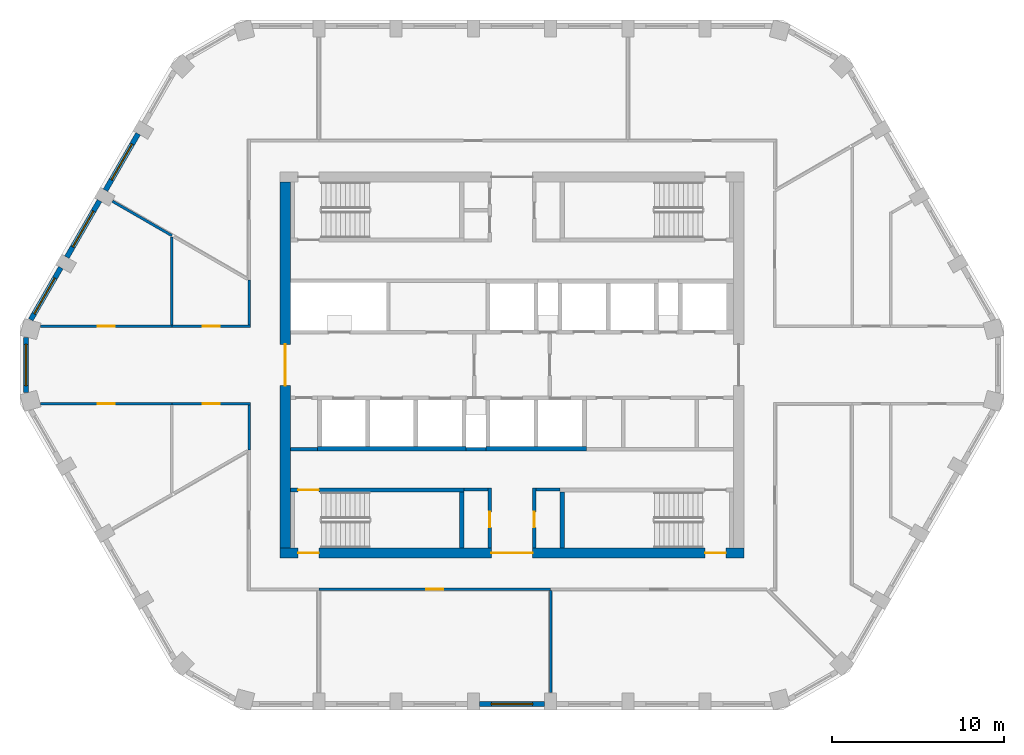
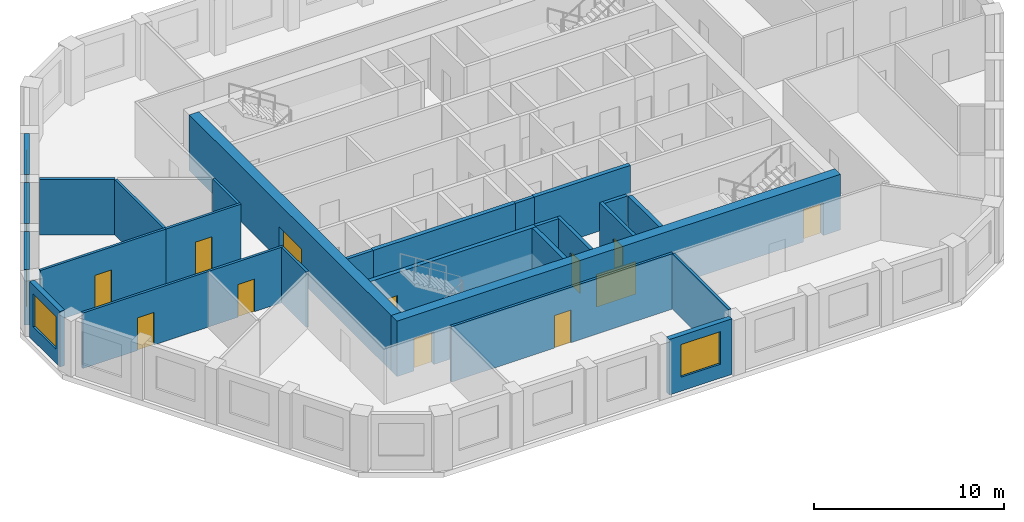
# One storey, part 2 of 11: 28 walls, 12 doors, 5 windows, 17 openings.
"""IFC4 building model written with IfcOpenShell, lengths in metres."""

from ifc_helpers import new_model, si_unit, direction, frame, frame_2d, origin, place, context, subcontext, project, spatial, polyline, rectangle, outline, extrude, material, layer, layer_set, type_object, element, fill, save


model = new_model("IFC4")

# Units and contexts
model_context = context("Model", 3, precision=1e-05, world=origin(), true_north=direction((0.0, 1.0)))
body_context = subcontext(model_context, "Body", "Model", "MODEL_VIEW")
ifc_project = project(units=[si_unit("LENGTHUNIT", "METRE"), si_unit("AREAUNIT", "SQUARE_METRE"), si_unit("VOLUMEUNIT", "CUBIC_METRE"), si_unit("PLANEANGLEUNIT", "RADIAN"), si_unit("MASSUNIT", "GRAM", prefix="KILO")], contexts=[model_context])

# Site, building, storey
site_placement = place(None, origin())
site = spatial("IfcSite", under=ifc_project, at=site_placement, CompositionType="ELEMENT")
building_placement = place(site_placement, origin())
building = spatial("IfcBuilding", under=site, at=building_placement, Name="Dhurran Vertical Campus", CompositionType="ELEMENT")
storey_placement = place(building_placement, frame((0.0, 0.0, 274.199951171875)))
storey = spatial("IfcBuildingStorey", under=building, at=storey_placement, Name="L68", CompositionType="ELEMENT", Elevation=274.199951171875)

# Wall, opening, window
ifc_material_1 = material(Name="Precast concrete C50/60", Category="concrete")
ifc_layer_1 = layer(ifc_material_1, 0.300048828125)
ifc_layer_set_1 = layer_set([ifc_layer_1], Name="Precast concrete C50/60")
wall_type_1 = type_object("IfcWallType", Name="Precast spandrel wall 300", PredefinedType="SOLIDWALL", material=ifc_layer_set_1)
wall_1_placement = place(storey_placement, frame((-1.8994140625, -19.738525390625, 0.0), z_axis=(0.0, 0.0, 1.0), x_axis=(1.0, 0.0, 0.0)))
wall_1 = element("IfcWall", 1, at=wall_1_placement, inside=storey, type_object=wall_type_1, Name="EW1 L68.03", PredefinedType="SOLIDWALL", context=body_context, shape_type="SweptSolid", body=[
    extrude(rectangle(XDim=3.798828125, YDim=0.300048828125, at=frame_2d((1.8994140625, 0.0))), origin(), (0.0, 0.0, 1.0), 3.574951171875),
])
opening_1_placement = place(wall_1_placement, frame((0.699462890625, 0.0, 0.89990234375)))
opening_1 = element("IfcOpeningElement", 2, at=opening_1_placement, cuts=wall_1, Name="Opening WT1", PredefinedType="OPENING", context=body_context, shape_type="SweptSolid", body=[
    extrude(rectangle(XDim=2.39990234375, YDim=2.10009765625, at=frame_2d((1.199951171875, 1.050048828125))), frame((0.0, 0.159912109375, 0.0), z_axis=(0.0, -1.0, 0.0), x_axis=(1.0, 0.0, 0.0)), (0.0, 0.0, 1.0), 0.320068359375),
])
ifc_material_2 = material(Name="Aluminium frame with solar-control glass", Category="aluminium")
window_type = type_object("IfcWindowType", Name="Punched window 2400 x 2100", PartitioningType="SINGLE_PANEL", PredefinedType="WINDOW", material=ifc_material_2)
window_1_placement = place(opening_1_placement, origin())
window_1 = element("IfcWindow", 3, at=window_1_placement, inside=storey, type_object=window_type, Name="WT1 L68.03", OverallHeight=2.10009765625, OverallWidth=2.39990234375, PartitioningType="SINGLE_PANEL", PredefinedType="WINDOW", context=body_context, shape_type="SweptSolid", body=[
    extrude(rectangle(XDim=2.39990234375, YDim=2.10009765625, at=frame_2d((1.199951171875, 1.050048828125))), frame((0.0, 0.030029296875, 0.0), z_axis=(0.0, -1.0, 0.0), x_axis=(1.0, 0.0, 0.0)), (0.0, 0.0, 1.0), 0.06005859375),
])
fill(opening_1, window_1)

wall_2_placement = place(storey_placement, frame((-21.769287109375, 13.462890625, 0.0), z_axis=(0.0, 0.0, 1.0), x_axis=(-0.499982058975, -0.866035761792, 0.0)))
wall_2 = element("IfcWall", 4, at=wall_2_placement, inside=storey, type_object=wall_type_1, Name="EW1 L68.27", PredefinedType="SOLIDWALL", context=body_context, shape_type="SweptSolid", body=[
    extrude(rectangle(XDim=3.799072265625, YDim=0.300048828125, at=frame_2d((1.8994140625, 0.0))), origin(), (0.0, 0.0, 1.0), 3.574951171875),
])
opening_2_placement = place(wall_2_placement, frame((0.699462890625, 0.0, 0.89990234375)))
opening_2 = element("IfcOpeningElement", 5, at=opening_2_placement, cuts=wall_2, Name="Opening WT1", PredefinedType="OPENING", context=body_context, shape_type="SweptSolid", body=[
    extrude(rectangle(XDim=2.39990234375, YDim=2.10009765625, at=frame_2d((1.199951171875, 1.050048828125))), frame((0.0, 0.159912109375, 0.0), z_axis=(0.0, -1.0, 0.0), x_axis=(1.0, 0.0, 0.0)), (0.0, 0.0, 1.0), 0.320068359375),
])
window_2_placement = place(opening_2_placement, origin())
window_2 = element("IfcWindow", 6, at=window_2_placement, inside=storey, type_object=window_type, Name="WT1 L68.27", OverallHeight=2.10009765625, OverallWidth=2.39990234375, PartitioningType="SINGLE_PANEL", PredefinedType="WINDOW", context=body_context, shape_type="SweptSolid", body=[
    extrude(rectangle(XDim=2.39990234375, YDim=2.10009765625, at=frame_2d((1.199951171875, 1.050048828125))), frame((0.0, 0.030029296875, 0.0), z_axis=(0.0, -1.0, 0.0), x_axis=(1.0, 0.0, 0.0)), (0.0, 0.0, 1.0), 0.06005859375),
])
fill(opening_2, window_2)

wall_3_placement = place(storey_placement, frame((-24.019287109375, 9.565673828125, 0.0), z_axis=(0.0, 0.0, 1.0), x_axis=(-0.499982058975, -0.866035761792, 0.0)))
wall_3 = element("IfcWall", 7, at=wall_3_placement, inside=storey, type_object=wall_type_1, Name="EW1 L68.28", PredefinedType="SOLIDWALL", context=body_context, shape_type="SweptSolid", body=[
    extrude(rectangle(XDim=3.799072265625, YDim=0.300048828125, at=frame_2d((1.8994140625, 0.0))), origin(), (0.0, 0.0, 1.0), 3.574951171875),
])
opening_3_placement = place(wall_3_placement, frame((0.699462890625, 0.0, 0.89990234375)))
opening_3 = element("IfcOpeningElement", 8, at=opening_3_placement, cuts=wall_3, Name="Opening WT1", PredefinedType="OPENING", context=body_context, shape_type="SweptSolid", body=[
    extrude(rectangle(XDim=2.39990234375, YDim=2.10009765625, at=frame_2d((1.199951171875, 1.050048828125))), frame((0.0, 0.159912109375, 0.0), z_axis=(0.0, -1.0, 0.0), x_axis=(1.0, 0.0, 0.0)), (0.0, 0.0, 1.0), 0.320068359375),
])
window_3_placement = place(opening_3_placement, origin())
window_3 = element("IfcWindow", 9, at=window_3_placement, inside=storey, type_object=window_type, Name="WT1 L68.28", OverallHeight=2.10009765625, OverallWidth=2.39990234375, PartitioningType="SINGLE_PANEL", PredefinedType="WINDOW", context=body_context, shape_type="SweptSolid", body=[
    extrude(rectangle(XDim=2.39990234375, YDim=2.10009765625, at=frame_2d((1.199951171875, 1.050048828125))), frame((0.0, 0.030029296875, 0.0), z_axis=(0.0, -1.0, 0.0), x_axis=(1.0, 0.0, 0.0)), (0.0, 0.0, 1.0), 0.06005859375),
])
fill(opening_3, window_3)

wall_4_placement = place(storey_placement, frame((-26.269287109375, 5.668701171875, 0.0), z_axis=(0.0, 0.0, 1.0), x_axis=(-0.499990325971, -0.866030989016, 0.0)))
wall_4 = element("IfcWall", 10, at=wall_4_placement, inside=storey, type_object=wall_type_1, Name="EW1 L68.29", PredefinedType="SOLIDWALL", context=body_context, shape_type="SweptSolid", body=[
    extrude(rectangle(XDim=3.49755859375, YDim=0.300048828125, at=frame_2d((1.748779296875, 0.0))), origin(), (0.0, 0.0, 1.0), 3.574951171875),
])
opening_4_placement = place(wall_4_placement, frame((0.699462890625, 0.0, 0.89990234375)))
opening_4 = element("IfcOpeningElement", 11, at=opening_4_placement, cuts=wall_4, Name="Opening WT1", PredefinedType="OPENING", context=body_context, shape_type="SweptSolid", body=[
    extrude(rectangle(XDim=2.39990234375, YDim=2.10009765625, at=frame_2d((1.199951171875, 1.050048828125))), frame((0.0, 0.159912109375, 0.0), z_axis=(0.0, -1.0, 0.0), x_axis=(1.0, 0.0, 0.0)), (0.0, 0.0, 1.0), 0.320068359375),
])
window_4_placement = place(opening_4_placement, origin())
window_4 = element("IfcWindow", 12, at=window_4_placement, inside=storey, type_object=window_type, Name="WT1 L68.29", OverallHeight=2.10009765625, OverallWidth=2.39990234375, PartitioningType="SINGLE_PANEL", PredefinedType="WINDOW", context=body_context, shape_type="SweptSolid", body=[
    extrude(rectangle(XDim=2.39990234375, YDim=2.10009765625, at=frame_2d((1.199951171875, 1.050048828125))), frame((0.0, 0.030029296875, 0.0), z_axis=(0.0, -1.0, 0.0), x_axis=(1.0, 0.0, 0.0)), (0.0, 0.0, 1.0), 0.06005859375),
])
fill(opening_4, window_4)

wall_5_placement = place(storey_placement, frame((-28.297119140625, 1.59814453125, 0.0), z_axis=(0.0, 0.0, 1.0), x_axis=(0.0, -1.0, 0.0)))
wall_5 = element("IfcWall", 13, at=wall_5_placement, inside=storey, type_object=wall_type_1, Name="EW1 L68.30", PredefinedType="SOLIDWALL", context=body_context, shape_type="SweptSolid", body=[
    extrude(rectangle(XDim=3.1962890625, YDim=0.300048828125, at=frame_2d((1.59814453125, 0.0))), origin(), (0.0, 0.0, 1.0), 3.574951171875),
])
opening_5_placement = place(wall_5_placement, frame((0.398193359375, 0.0, 0.89990234375)))
opening_5 = element("IfcOpeningElement", 14, at=opening_5_placement, cuts=wall_5, Name="Opening WT1", PredefinedType="OPENING", context=body_context, shape_type="SweptSolid", body=[
    extrude(rectangle(XDim=2.39990234375, YDim=2.10009765625, at=frame_2d((1.199951171875, 1.050048828125))), frame((0.0, 0.159912109375, 0.0), z_axis=(0.0, -1.0, 0.0), x_axis=(1.0, 0.0, 0.0)), (0.0, 0.0, 1.0), 0.320068359375),
])
window_5_placement = place(opening_5_placement, origin())
window_5 = element("IfcWindow", 15, at=window_5_placement, inside=storey, type_object=window_type, Name="WT1 L68.30", OverallHeight=2.10009765625, OverallWidth=2.39990234375, PartitioningType="SINGLE_PANEL", PredefinedType="WINDOW", context=body_context, shape_type="SweptSolid", body=[
    extrude(rectangle(XDim=2.39990234375, YDim=2.10009765625, at=frame_2d((1.199951171875, 1.050048828125))), frame((0.0, 0.030029296875, 0.0), z_axis=(0.0, -1.0, 0.0), x_axis=(1.0, 0.0, 0.0)), (0.0, 0.0, 1.0), 0.06005859375),
])
fill(opening_5, window_5)

# Wall, openings, doors
ifc_material_3 = material(Name="Concrete C50/60", Category="concrete")
ifc_layer_2 = layer(ifc_material_3, 0.60009765625)
ifc_layer_set_2 = layer_set([ifc_layer_2], Name="Concrete C50/60")
wall_type_2 = type_object("IfcWallType", Name="co-CORE-WALL-C2-600", PredefinedType="SHEAR", material=ifc_layer_set_2)
wall_6_placement = place(storey_placement, frame((-13.5, -10.949951171875, 0.0), z_axis=(0.0, 0.0, 1.0), x_axis=(1.0, 0.0, 0.0)))
wall_6 = element("IfcWall", 16, at=wall_6_placement, inside=storey, type_object=wall_type_2, Name="Core wall S L68", PredefinedType="SHEAR", context=body_context, shape_type="SweptSolid", body=[
    extrude(rectangle(XDim=27.0, YDim=0.60009765625, at=frame_2d((13.5, 0.0))), origin(), (0.0, 0.0, 1.0), 3.574951171875),
])
opening_6_placement = place(wall_6_placement, frame((12.300048828125, 0.0, 0.0)))
opening_6 = element("IfcOpeningElement", 17, at=opening_6_placement, cuts=wall_6, Name="Opening CV2", PredefinedType="OPENING", context=body_context, shape_type="SweptSolid", body=[
    extrude(rectangle(XDim=2.39990234375, YDim=2.10009765625, at=frame_2d((1.199951171875, 1.050048828125))), frame((0.0, 0.31005859375, 0.0), z_axis=(0.0, -1.0, 0.0), x_axis=(1.0, 0.0, 0.0)), (0.0, 0.0, 1.0), 0.6201171875),
])
opening_7_placement = place(wall_6_placement, frame((1.050048828125, 0.0, 0.0)))
opening_7 = element("IfcOpeningElement", 18, at=opening_7_placement, cuts=wall_6, Name="Opening XD3", PredefinedType="OPENING", context=body_context, shape_type="SweptSolid", body=[
    extrude(rectangle(XDim=1.199951171875, YDim=2.10009765625, at=frame_2d((0.60009765625, 1.050048828125))), frame((0.0, 0.31005859375, 0.0), z_axis=(0.0, -1.0, 0.0), x_axis=(1.0, 0.0, 0.0)), (0.0, 0.0, 1.0), 0.6201171875),
])
opening_8_placement = place(wall_6_placement, frame((24.75, 0.0, 0.0)))
opening_8 = element("IfcOpeningElement", 19, at=opening_8_placement, cuts=wall_6, Name="Opening XD4", PredefinedType="OPENING", context=body_context, shape_type="SweptSolid", body=[
    extrude(rectangle(XDim=1.199951171875, YDim=2.10009765625, at=frame_2d((0.60009765625, 1.050048828125))), frame((0.0, 0.31005859375, 0.0), z_axis=(0.0, -1.0, 0.0), x_axis=(1.0, 0.0, 0.0)), (0.0, 0.0, 1.0), 0.6201171875),
])
ifc_material_4 = material(Name="Fire-rated glazed door set")
door_type_1 = type_object("IfcDoorType", Name="co-D-LOBBY 2400x2100", OperationType="DOUBLE_DOOR_DOUBLE_SWING", PredefinedType="DOOR", material=ifc_material_4)
door_1_placement = place(opening_6_placement, origin())
door_1 = element("IfcDoor", 20, at=door_1_placement, inside=storey, type_object=door_type_1, Name="Core vestibule door S L68", OperationType="DOUBLE_DOOR_DOUBLE_SWING", OverallHeight=2.10009765625, OverallWidth=2.39990234375, PredefinedType="DOOR", context=body_context, shape_type="SweptSolid", body=[
    extrude(rectangle(XDim=2.39990234375, YDim=2.10009765625, at=frame_2d((1.199951171875, 1.050048828125))), frame((0.0, 0.02490234375, 0.0), z_axis=(0.0, -1.0, 0.0), x_axis=(1.0, 0.0, 0.0)), (0.0, 0.0, 1.0), 0.050048828125),
])
fill(opening_6, door_1)
ifc_material_5 = material(Name="Fire-rated steel door set", Category="steel")
door_type_2 = type_object("IfcDoorType", Name="co-D-STAIR-EXIT 1200x2100", OperationType="SINGLE_SWING_RIGHT", PredefinedType="DOOR", material=ifc_material_5)
door_2_placement = place(opening_7_placement, origin())
door_2 = element("IfcDoor", 21, at=door_2_placement, inside=storey, type_object=door_type_2, Name="Stair ST3 exit door L68", OperationType="SINGLE_SWING_RIGHT", OverallHeight=2.10009765625, OverallWidth=1.199951171875, PredefinedType="DOOR", context=body_context, shape_type="SweptSolid", body=[
    extrude(rectangle(XDim=1.199951171875, YDim=2.10009765625, at=frame_2d((0.60009765625, 1.050048828125))), frame((0.0, 0.02490234375, 0.0), z_axis=(0.0, -1.0, 0.0), x_axis=(1.0, 0.0, 0.0)), (0.0, 0.0, 1.0), 0.050048828125),
])
fill(opening_7, door_2)
door_3_placement = place(opening_8_placement, origin())
door_3 = element("IfcDoor", 22, at=door_3_placement, inside=storey, type_object=door_type_2, Name="Stair ST4 exit door L68", OperationType="SINGLE_SWING_RIGHT", OverallHeight=2.10009765625, OverallWidth=1.199951171875, PredefinedType="DOOR", context=body_context, shape_type="SweptSolid", body=[
    extrude(rectangle(XDim=1.199951171875, YDim=2.10009765625, at=frame_2d((0.60009765625, 1.050048828125))), frame((0.0, 0.02490234375, 0.0), z_axis=(0.0, -1.0, 0.0), x_axis=(1.0, 0.0, 0.0)), (0.0, 0.0, 1.0), 0.050048828125),
])
fill(opening_8, door_3)

# Wall, opening, door
wall_7_placement = place(storey_placement, frame((-13.199951171875, -10.64990234375, 0.0), z_axis=(0.0, 0.0, 1.0), x_axis=(0.0, 1.0, 0.0)))
wall_7 = element("IfcWall", 23, at=wall_7_placement, inside=storey, type_object=wall_type_2, Name="Core wall W L68", PredefinedType="SHEAR", context=body_context, shape_type="SweptSolid", body=[
    extrude(rectangle(XDim=21.2998046875, YDim=0.60009765625, at=frame_2d((10.64990234375, 0.0))), origin(), (0.0, 0.0, 1.0), 3.574951171875),
])
opening_9_placement = place(wall_7_placement, frame((9.449951171875, 0.0, 0.0)))
opening_9 = element("IfcOpeningElement", 24, at=opening_9_placement, cuts=wall_7, Name="Opening CL1", PredefinedType="OPENING", context=body_context, shape_type="SweptSolid", body=[
    extrude(rectangle(XDim=2.39990234375, YDim=2.10009765625, at=frame_2d((1.199951171875, 1.050048828125))), frame((0.0, 0.31005859375, 0.0), z_axis=(0.0, -1.0, 0.0), x_axis=(1.0, 0.0, 0.0)), (0.0, 0.0, 1.0), 0.6201171875),
])
door_4_placement = place(opening_9_placement, origin())
door_4 = element("IfcDoor", 25, at=door_4_placement, inside=storey, type_object=door_type_1, Name="Lift lobby door W L68", OperationType="DOUBLE_DOOR_DOUBLE_SWING", OverallHeight=2.10009765625, OverallWidth=2.39990234375, PredefinedType="DOOR", context=body_context, shape_type="SweptSolid", body=[
    extrude(rectangle(XDim=2.39990234375, YDim=2.10009765625, at=frame_2d((1.199951171875, 1.050048828125))), frame((0.0, 0.02490234375, 0.0), z_axis=(0.0, -1.0, 0.0), x_axis=(1.0, 0.0, 0.0)), (0.0, 0.0, 1.0), 0.050048828125),
])
fill(opening_9, door_4)

# Walls
ifc_material_6 = material(Name="Fire-rated masonry blockwork", Category="masonry")
ifc_layer_3 = layer(ifc_material_6, 0.199951171875)
ifc_layer_set_3 = layer_set([ifc_layer_3], Name="Fire-rated masonry blockwork")
wall_type_3 = type_object("IfcWallType", Name="co-FIRE-PARTITION-200", PredefinedType="PARTITIONING", material=ifc_layer_set_3)
for number, where, z_axis, x_axis, name in (
    (26, (-2.800048828125, -7.25, 0.0), (0.0, 0.0, 1.0), (1.0, 0.0, 0.0), "Core partition sl-SW-S L68"),
    (27, (1.39990234375, -7.25, 0.0), (0.0, 0.0, 1.0), (1.0, 0.0, 0.0), "Core partition sl-SE-S L68"),
):
    element("IfcWall", number, at=place(storey_placement, frame(where, z_axis=z_axis, x_axis=x_axis)), inside=storey, type_object=wall_type_3, Name=name, PredefinedType="PARTITIONING", context=body_context, shape_type="SweptSolid", body=[
        extrude(rectangle(XDim=1.400146484375, YDim=0.199951171875, at=frame_2d((0.7001953125, 0.0))), origin(), (0.0, 0.0, 1.0), 3.574951171875),
    ])

# Wall, opening, door
wall_8_placement = place(storey_placement, frame((-1.300048828125, -10.64990234375, 0.0), z_axis=(0.0, 0.0, 1.0), x_axis=(0.0, 1.0, 0.0)))
wall_8 = element("IfcWall", 28, at=wall_8_placement, inside=storey, type_object=wall_type_3, Name="Core partition vest-SW L68", PredefinedType="PARTITIONING", context=body_context, shape_type="SweptSolid", body=[
    extrude(rectangle(XDim=3.5, YDim=0.199951171875, at=frame_2d((1.75, 0.0))), origin(), (0.0, 0.0, 1.0), 3.574951171875),
])
opening_10_placement = place(wall_8_placement, frame((1.199951171875, 0.0, 0.0)))
opening_10 = element("IfcOpeningElement", 29, at=opening_10_placement, cuts=wall_8, Name="Opening T20-C1", PredefinedType="OPENING", context=body_context, shape_type="SweptSolid", body=[
    extrude(rectangle(XDim=0.89990234375, YDim=2.10009765625, at=frame_2d((0.449951171875, 1.050048828125))), frame((0.0, 0.10986328125, 0.0), z_axis=(0.0, -1.0, 0.0), x_axis=(1.0, 0.0, 0.0)), (0.0, 0.0, 1.0), 0.219970703125),
])
ifc_material_7 = material(Name="Fire-rated timber door set", Category="wood")
door_type_3 = type_object("IfcDoorType", Name="co-D-ROOM 900x2100", OperationType="SINGLE_SWING_LEFT", PredefinedType="DOOR", material=ifc_material_7)
door_5_placement = place(opening_10_placement, origin())
door_5 = element("IfcDoor", 30, at=door_5_placement, inside=storey, type_object=door_type_3, Name="Server room door L68", OperationType="SINGLE_SWING_LEFT", OverallHeight=2.10009765625, OverallWidth=0.89990234375, PredefinedType="DOOR", context=body_context, shape_type="SweptSolid", body=[
    extrude(rectangle(XDim=0.89990234375, YDim=2.10009765625, at=frame_2d((0.449951171875, 1.050048828125))), frame((0.0, 0.02490234375, 0.0), z_axis=(0.0, -1.0, 0.0), x_axis=(1.0, 0.0, 0.0)), (0.0, 0.0, 1.0), 0.050048828125),
])
fill(opening_10, door_5)

wall_9_placement = place(storey_placement, frame((1.300048828125, -10.64990234375, 0.0), z_axis=(0.0, 0.0, 1.0), x_axis=(0.0, 1.0, 0.0)))
wall_9 = element("IfcWall", 31, at=wall_9_placement, inside=storey, type_object=wall_type_3, Name="Core partition vest-SE L68", PredefinedType="PARTITIONING", context=body_context, shape_type="SweptSolid", body=[
    extrude(rectangle(XDim=3.5, YDim=0.199951171875, at=frame_2d((1.75, 0.0))), origin(), (0.0, 0.0, 1.0), 3.574951171875),
])
opening_11_placement = place(wall_9_placement, frame((1.199951171875, 0.0, 0.0)))
opening_11 = element("IfcOpeningElement", 32, at=opening_11_placement, cuts=wall_9, Name="Opening T20-C2", PredefinedType="OPENING", context=body_context, shape_type="SweptSolid", body=[
    extrude(rectangle(XDim=0.89990234375, YDim=2.10009765625, at=frame_2d((0.449951171875, 1.050048828125))), frame((0.0, 0.10986328125, 0.0), z_axis=(0.0, -1.0, 0.0), x_axis=(1.0, 0.0, 0.0)), (0.0, 0.0, 1.0), 0.219970703125),
])
door_6_placement = place(opening_11_placement, origin())
door_6 = element("IfcDoor", 33, at=door_6_placement, inside=storey, type_object=door_type_3, Name="Housekeeping store door L68", OperationType="SINGLE_SWING_LEFT", OverallHeight=2.10009765625, OverallWidth=0.89990234375, PredefinedType="DOOR", context=body_context, shape_type="SweptSolid", body=[
    extrude(rectangle(XDim=0.89990234375, YDim=2.10009765625, at=frame_2d((0.449951171875, 1.050048828125))), frame((0.0, 0.02490234375, 0.0), z_axis=(0.0, -1.0, 0.0), x_axis=(1.0, 0.0, 0.0)), (0.0, 0.0, 1.0), 0.050048828125),
])
fill(opening_11, door_6)

# Walls
wall_10_placement = place(storey_placement, frame((-12.89990234375, -4.89990234375, 0.0), z_axis=(0.0, 0.0, 1.0), x_axis=(1.0, 0.0, 0.0)))
element("IfcWall", 34, at=wall_10_placement, inside=storey, type_object=wall_type_3, Name="Core partition fr-S0-b L68", PredefinedType="PARTITIONING", context=body_context, shape_type="SweptSolid", body=[
    extrude(rectangle(XDim=1.574951171875, YDim=0.199951171875, at=frame_2d((0.78759765625, 0.0))), origin(), (0.0, 0.0, 1.0), 3.574951171875),
])
wall_11_placement = place(storey_placement, frame((-2.675048828125, -4.89990234375, 0.0), z_axis=(0.0, 0.0, 1.0), x_axis=(1.0, 0.0, 0.0)))
element("IfcWall", 35, at=wall_11_placement, inside=storey, type_object=wall_type_3, Name="Core partition fr-S1-b L68", PredefinedType="PARTITIONING", context=body_context, shape_type="SweptSolid", body=[
    extrude(rectangle(XDim=1.150146484375, YDim=0.199951171875, at=frame_2d((0.5751953125, 0.0))), origin(), (0.0, 0.0, 1.0), 3.574951171875),
])
ifc_material_8 = material(Name="Concrete C50/60", Category="concrete")
ifc_layer_4 = layer(ifc_material_8, 0.25)
ifc_layer_set_4 = layer_set([ifc_layer_4], Name="Concrete C50/60")
wall_type_4 = type_object("IfcWallType", Name="co-SHAFT-MASS-250", PredefinedType="SHEAR", material=ifc_layer_set_4)
wall_12_placement = place(storey_placement, origin())
element("IfcWall", 36, at=wall_12_placement, inside=storey, type_object=wall_type_4, Name="Lift shaft wall S L68 1", PredefinedType="SHEAR", context=body_context, shape_type="SweptSolid", body=[
    extrude(outline(polyline([(-11.324951171875, -5.0), (-2.675048828125, -5.0), (-2.675048828125, -4.75), (-11.324951171875, -4.75), (-11.324951171875, -5.0)])), origin(), (0.0, 0.0, 1.0), 3.574951171875),
])
wall_13_placement = place(storey_placement, origin())
element("IfcWall", 37, at=wall_13_placement, inside=storey, type_object=wall_type_4, Name="Lift shaft wall S L68 2", PredefinedType="SHEAR", context=body_context, shape_type="SweptSolid", body=[
    extrude(outline(polyline([(-1.52490234375, -5.0), (4.324951171875, -5.0), (4.324951171875, -4.75), (-1.52490234375, -4.75), (-1.52490234375, -5.0)])), origin(), (0.0, 0.0, 1.0), 3.574951171875),
])

# Wall, opening, door
ifc_material_9 = material(Name="Concrete C40/50", Category="concrete")
ifc_layer_5 = layer(ifc_material_9, 0.25)
ifc_layer_set_5 = layer_set([ifc_layer_5], Name="Concrete C40/50")
wall_type_5 = type_object("IfcWallType", Name="co-STAIR-WALL-250", PredefinedType="SHEAR", material=ifc_layer_set_5)
wall_14_placement = place(storey_placement, frame((-12.89990234375, -7.27490234375, 0.0), z_axis=(0.0, 0.0, 1.0), x_axis=(1.0, 0.0, 0.0)))
wall_14 = element("IfcWall", 38, at=wall_14_placement, inside=storey, type_object=wall_type_5, Name="Stair ST3 enclosure wall L68", PredefinedType="SHEAR", context=body_context, shape_type="SweptSolid", body=[
    extrude(rectangle(XDim=10.099853515625, YDim=0.25, at=frame_2d((5.0498046875, 0.0))), origin(), (0.0, 0.0, 1.0), 3.574951171875),
])
opening_12_placement = place(wall_14_placement, frame((0.449951171875, 0.0, 0.0)))
opening_12 = element("IfcOpeningElement", 39, at=opening_12_placement, cuts=wall_14, Name="Opening SD3", PredefinedType="OPENING", context=body_context, shape_type="SweptSolid", body=[
    extrude(rectangle(XDim=1.199951171875, YDim=2.10009765625, at=frame_2d((0.60009765625, 1.050048828125))), frame((0.0, 0.135009765625, 0.0), z_axis=(0.0, -1.0, 0.0), x_axis=(1.0, 0.0, 0.0)), (0.0, 0.0, 1.0), 0.27001953125),
])
ifc_material_10 = material(Name="Fire-rated steel door set", Category="steel")
door_type_4 = type_object("IfcDoorType", Name="co-D-STAIR 1200x2100", OperationType="SINGLE_SWING_LEFT", PredefinedType="DOOR", material=ifc_material_10)
door_7_placement = place(opening_12_placement, origin())
door_7 = element("IfcDoor", 40, at=door_7_placement, inside=storey, type_object=door_type_4, Name="Stair ST3 door L68", OperationType="SINGLE_SWING_LEFT", OverallHeight=2.10009765625, OverallWidth=1.199951171875, PredefinedType="DOOR", context=body_context, shape_type="SweptSolid", body=[
    extrude(rectangle(XDim=1.199951171875, YDim=2.10009765625, at=frame_2d((0.60009765625, 1.050048828125))), frame((0.0, 0.02490234375, 0.0), z_axis=(0.0, -1.0, 0.0), x_axis=(1.0, 0.0, 0.0)), (0.0, 0.0, 1.0), 0.050048828125),
])
fill(opening_12, door_7)

# Walls
for number, where, z_axis, x_axis, name in (
    (41, (-2.925048828125, -10.64990234375, 0.0), (0.0, 0.0, 1.0), (0.0, 1.0, 0.0), "Stair ST3 enclosure wall L68"),
    (42, (2.925048828125, -10.64990234375, 0.0), (0.0, 0.0, 1.0), (0.0, 1.0, 0.0), "Stair ST4 enclosure wall L68"),
):
    element("IfcWall", number, at=place(storey_placement, frame(where, z_axis=z_axis, x_axis=x_axis)), inside=storey, type_object=wall_type_5, Name=name, PredefinedType="SHEAR", context=body_context, shape_type="SweptSolid", body=[
        extrude(rectangle(XDim=3.25, YDim=0.25, at=frame_2d((1.625, 0.0))), origin(), (0.0, 0.0, 1.0), 3.574951171875),
    ])

# Wall, opening, door
ifc_material_11 = material(Name="Gypsum board corridor wall on steel studs", Category="steel")
ifc_layer_6 = layer(ifc_material_11, 0.14990234375)
ifc_layer_set_6 = layer_set([ifc_layer_6], Name="Gypsum board corridor wall on steel studs")
wall_type_6 = type_object("IfcWallType", Name="fl-CW-150 corridor wall", PredefinedType="PARTITIONING", material=ifc_layer_set_6)
wall_15_placement = place(storey_placement, frame((-19.800048828125, -2.25, 0.0), z_axis=(0.0, 0.0, 1.0), x_axis=(-1.0, 0.0, 0.0)))
wall_15 = element("IfcWall", 43, at=wall_15_placement, inside=storey, type_object=wall_type_6, Name="Partition 68-01", PredefinedType="PARTITIONING", context=body_context, shape_type="SweptSolid", body=[
    extrude(rectangle(XDim=7.65234375, YDim=0.14990234375, at=frame_2d((3.826171875, 0.0))), origin(), (0.0, 0.0, 1.0), 3.574951171875),
])
opening_13_placement = place(wall_15_placement, frame((3.326171875, 0.0, 0.0)))
opening_13 = element("IfcOpeningElement", 44, at=opening_13_placement, cuts=wall_15, Name="Opening T20.01", PredefinedType="OPENING", context=body_context, shape_type="SweptSolid", body=[
    extrude(rectangle(XDim=1.0, YDim=2.10009765625, at=frame_2d((0.5, 1.050048828125))), frame((0.0, 0.0849609375, 0.0), z_axis=(0.0, -1.0, 0.0), x_axis=(1.0, 0.0, 0.0)), (0.0, 0.0, 1.0), 0.169921875),
])
ifc_material_12 = material(Name="Solid-core timber door set, fire-rated", Category="wood")
door_type_5 = type_object("IfcDoorType", Name="fl-D-1000x2100", OperationType="SINGLE_SWING_LEFT", PredefinedType="DOOR", material=ifc_material_12)
door_8_placement = place(opening_13_placement, origin())
door_8 = element("IfcDoor", 45, at=door_8_placement, inside=storey, type_object=door_type_5, Name="Door 68.01", OperationType="SINGLE_SWING_RIGHT", OverallHeight=2.10009765625, OverallWidth=1.0, PredefinedType="DOOR", context=body_context, shape_type="SweptSolid", body=[
    extrude(rectangle(XDim=1.0, YDim=2.10009765625, at=frame_2d((0.5, 1.050048828125))), frame((0.0, 0.02490234375, 0.0), z_axis=(0.0, -1.0, 0.0), x_axis=(1.0, 0.0, 0.0)), (0.0, 0.0, 1.0), 0.050048828125),
])
fill(opening_13, door_8)

wall_16_placement = place(storey_placement, frame((-27.452392578125, 2.25, 0.0), z_axis=(0.0, 0.0, 1.0), x_axis=(1.0, 0.0, 0.0)))
wall_16 = element("IfcWall", 46, at=wall_16_placement, inside=storey, type_object=wall_type_6, Name="Partition 68-02", PredefinedType="PARTITIONING", context=body_context, shape_type="SweptSolid", body=[
    extrude(rectangle(XDim=7.65234375, YDim=0.14990234375, at=frame_2d((3.826171875, 0.0))), origin(), (0.0, 0.0, 1.0), 3.574951171875),
])
opening_14_placement = place(wall_16_placement, frame((3.326171875, 0.0, 0.0)))
opening_14 = element("IfcOpeningElement", 47, at=opening_14_placement, cuts=wall_16, Name="Opening T20.02", PredefinedType="OPENING", context=body_context, shape_type="SweptSolid", body=[
    extrude(rectangle(XDim=1.0, YDim=2.10009765625, at=frame_2d((0.5, 1.050048828125))), frame((0.0, 0.0849609375, 0.0), z_axis=(0.0, -1.0, 0.0), x_axis=(1.0, 0.0, 0.0)), (0.0, 0.0, 1.0), 0.169921875),
])
door_9_placement = place(opening_14_placement, origin())
door_9 = element("IfcDoor", 48, at=door_9_placement, inside=storey, type_object=door_type_5, Name="Door 68.02", OperationType="SINGLE_SWING_LEFT", OverallHeight=2.10009765625, OverallWidth=1.0, PredefinedType="DOOR", context=body_context, shape_type="SweptSolid", body=[
    extrude(rectangle(XDim=1.0, YDim=2.10009765625, at=frame_2d((0.5, 1.050048828125))), frame((0.0, 0.02490234375, 0.0), z_axis=(0.0, -1.0, 0.0), x_axis=(1.0, 0.0, 0.0)), (0.0, 0.0, 1.0), 0.050048828125),
])
fill(opening_14, door_9)

wall_17_placement = place(storey_placement, frame((-15.22509765625, -2.25, 0.0), z_axis=(0.0, 0.0, 1.0), x_axis=(-1.0, 0.0, 0.0)))
wall_17 = element("IfcWall", 49, at=wall_17_placement, inside=storey, type_object=wall_type_6, Name="Partition 68-07", PredefinedType="PARTITIONING", context=body_context, shape_type="SweptSolid", body=[
    extrude(rectangle(XDim=4.574951171875, YDim=0.14990234375, at=frame_2d((2.28759765625, 0.0))), origin(), (0.0, 0.0, 1.0), 3.574951171875),
])
opening_15_placement = place(wall_17_placement, frame((1.78759765625, 0.0, 0.0)))
opening_15 = element("IfcOpeningElement", 50, at=opening_15_placement, cuts=wall_17, Name="Opening T20.03", PredefinedType="OPENING", context=body_context, shape_type="SweptSolid", body=[
    extrude(rectangle(XDim=1.0, YDim=2.10009765625, at=frame_2d((0.5, 1.050048828125))), frame((0.0, 0.0849609375, 0.0), z_axis=(0.0, -1.0, 0.0), x_axis=(1.0, 0.0, 0.0)), (0.0, 0.0, 1.0), 0.169921875),
])
door_10_placement = place(opening_15_placement, origin())
door_10 = element("IfcDoor", 51, at=door_10_placement, inside=storey, type_object=door_type_5, Name="Door 68.03", OperationType="SINGLE_SWING_RIGHT", OverallHeight=2.10009765625, OverallWidth=1.0, PredefinedType="DOOR", context=body_context, shape_type="SweptSolid", body=[
    extrude(rectangle(XDim=1.0, YDim=2.10009765625, at=frame_2d((0.5, 1.050048828125))), frame((0.0, 0.02490234375, 0.0), z_axis=(0.0, -1.0, 0.0), x_axis=(1.0, 0.0, 0.0)), (0.0, 0.0, 1.0), 0.050048828125),
])
fill(opening_15, door_10)

wall_18_placement = place(storey_placement, frame((-19.800048828125, 2.25, 0.0), z_axis=(0.0, 0.0, 1.0), x_axis=(1.0, 0.0, 0.0)))
wall_18 = element("IfcWall", 52, at=wall_18_placement, inside=storey, type_object=wall_type_6, Name="Partition 68-09", PredefinedType="PARTITIONING", context=body_context, shape_type="SweptSolid", body=[
    extrude(rectangle(XDim=4.574951171875, YDim=0.14990234375, at=frame_2d((2.28759765625, 0.0))), origin(), (0.0, 0.0, 1.0), 3.574951171875),
])
opening_16_placement = place(wall_18_placement, frame((1.78759765625, 0.0, 0.0)))
opening_16 = element("IfcOpeningElement", 53, at=opening_16_placement, cuts=wall_18, Name="Opening T20.04", PredefinedType="OPENING", context=body_context, shape_type="SweptSolid", body=[
    extrude(rectangle(XDim=1.0, YDim=2.10009765625, at=frame_2d((0.5, 1.050048828125))), frame((0.0, 0.0849609375, 0.0), z_axis=(0.0, -1.0, 0.0), x_axis=(1.0, 0.0, 0.0)), (0.0, 0.0, 1.0), 0.169921875),
])
door_11_placement = place(opening_16_placement, origin())
door_11 = element("IfcDoor", 54, at=door_11_placement, inside=storey, type_object=door_type_5, Name="Door 68.04", OperationType="SINGLE_SWING_LEFT", OverallHeight=2.10009765625, OverallWidth=1.0, PredefinedType="DOOR", context=body_context, shape_type="SweptSolid", body=[
    extrude(rectangle(XDim=1.0, YDim=2.10009765625, at=frame_2d((0.5, 1.050048828125))), frame((0.0, 0.02490234375, 0.0), z_axis=(0.0, -1.0, 0.0), x_axis=(1.0, 0.0, 0.0)), (0.0, 0.0, 1.0), 0.050048828125),
])
fill(opening_16, door_11)

# Walls
for number, where, z_axis, x_axis, name in (
    (55, (-15.300048828125, -2.324951171875, 0.0), (0.0, 0.0, 1.0), (0.0, -1.0, 0.0), "Partition 68-13"),
    (56, (-15.300048828125, 4.93603515625, 0.0), (0.0, 0.0, 1.0), (0.0, -1.0, 0.0), "Partition 68-14"),
):
    element("IfcWall", number, at=place(storey_placement, frame(where, z_axis=z_axis, x_axis=x_axis)), inside=storey, type_object=wall_type_6, Name=name, PredefinedType="PARTITIONING", context=body_context, shape_type="SweptSolid", body=[
        extrude(rectangle(XDim=2.611083984375, YDim=0.14990234375, at=frame_2d((1.3056640625, 0.0))), origin(), (0.0, 0.0, 1.0), 3.574951171875),
    ])

# Wall, opening, door
wall_19_placement = place(storey_placement, frame((-11.25, -13.050048828125, 0.0), z_axis=(0.0, 0.0, 1.0), x_axis=(1.0, 0.0, 0.0)))
wall_19 = element("IfcWall", 57, at=wall_19_placement, inside=storey, type_object=wall_type_6, Name="Partition 68-18", PredefinedType="PARTITIONING", context=body_context, shape_type="SweptSolid", body=[
    extrude(rectangle(XDim=13.5, YDim=0.14990234375, at=frame_2d((6.75, 0.0))), origin(), (0.0, 0.0, 1.0), 3.574951171875),
])
opening_17_placement = place(wall_19_placement, frame((6.25, 0.0, 0.0)))
opening_17 = element("IfcOpeningElement", 58, at=opening_17_placement, cuts=wall_19, Name="Opening T20.07", PredefinedType="OPENING", context=body_context, shape_type="SweptSolid", body=[
    extrude(rectangle(XDim=1.0, YDim=2.10009765625, at=frame_2d((0.5, 1.050048828125))), frame((0.0, 0.0849609375, 0.0), z_axis=(0.0, -1.0, 0.0), x_axis=(1.0, 0.0, 0.0)), (0.0, 0.0, 1.0), 0.169921875),
])
door_12_placement = place(opening_17_placement, origin())
door_12 = element("IfcDoor", 59, at=door_12_placement, inside=storey, type_object=door_type_5, Name="Door 68.07", OperationType="SINGLE_SWING_LEFT", OverallHeight=2.10009765625, OverallWidth=1.0, PredefinedType="DOOR", context=body_context, shape_type="SweptSolid", body=[
    extrude(rectangle(XDim=1.0, YDim=2.10009765625, at=frame_2d((0.5, 1.050048828125))), frame((0.0, 0.02490234375, 0.0), z_axis=(0.0, -1.0, 0.0), x_axis=(1.0, 0.0, 0.0)), (0.0, 0.0, 1.0), 0.050048828125),
])
fill(opening_17, door_12)

# Walls
ifc_material_13 = material(Name="Gypsum board partition on steel studs", Category="steel")
ifc_layer_7 = layer(ifc_material_13, 0.14990234375)
ifc_layer_set_7 = layer_set([ifc_layer_7], Name="Gypsum board partition on steel studs")
wall_type_7 = type_object("IfcWallType", Name="fl-PW-150 fixed partition", PredefinedType="PARTITIONING", material=ifc_layer_set_7)
wall_20_placement = place(storey_placement, frame((-23.263916015625, 9.5341796875, 0.0), z_axis=(0.0, 0.0, 1.0), x_axis=(0.865984319305, -0.500071153655, 0.0)))
element("IfcWall", 60, at=wall_20_placement, inside=storey, type_object=wall_type_7, Name="Partition 68-04", PredefinedType="PARTITIONING", context=body_context, shape_type="SweptSolid", body=[
    extrude(rectangle(XDim=4.0, YDim=0.14990234375, at=frame_2d((2.0, 0.0))), origin(), (0.0, 0.0, 1.0), 3.574951171875),
])
wall_21_placement = place(storey_placement, frame((-19.800048828125, 7.458984375, 0.0), z_axis=(0.0, 0.0, 1.0), x_axis=(0.0, -1.0, 0.0)))
element("IfcWall", 61, at=wall_21_placement, inside=storey, type_object=wall_type_7, Name="Partition 68-08", PredefinedType="PARTITIONING", context=body_context, shape_type="SweptSolid", body=[
    extrude(rectangle(XDim=5.134033203125, YDim=0.14990234375, at=frame_2d((2.56689453125, 0.0))), origin(), (0.0, 0.0, 1.0), 3.574951171875),
])
wall_22_placement = place(storey_placement, frame((2.25, -13.125, 0.0), z_axis=(0.0, 0.0, 1.0), x_axis=(0.0, -1.0, 0.0)))
element("IfcWall", 62, at=wall_22_placement, inside=storey, type_object=wall_type_7, Name="Partition 68-21", PredefinedType="PARTITIONING", context=body_context, shape_type="SweptSolid", body=[
    extrude(rectangle(XDim=5.943603515625, YDim=0.14990234375, at=frame_2d((2.9716796875, 0.0))), origin(), (0.0, 0.0, 1.0), 3.574951171875),
])

save(model, "model.ifc")
